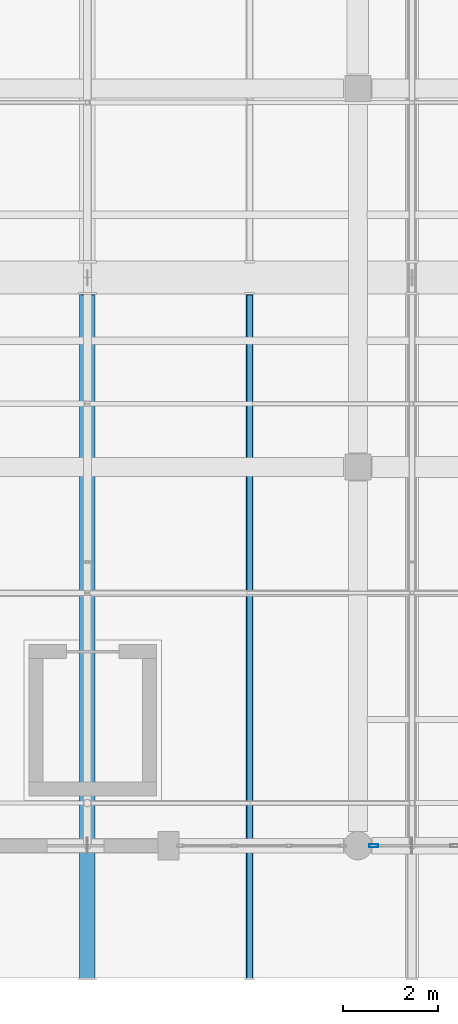
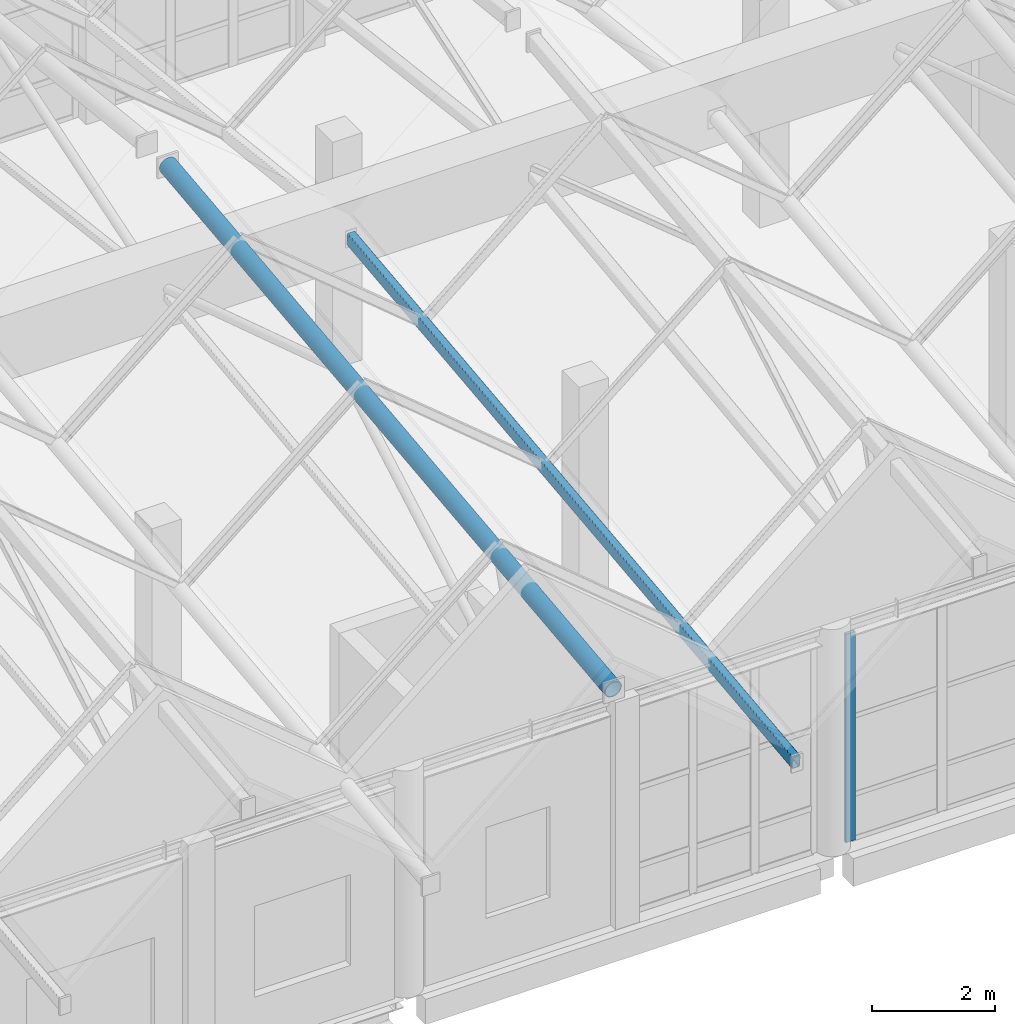
# One storey, part 70 of 183: 2 beams, 1 member, 1 element without a shape of its own.
"""IFC4 building model written with IfcOpenShell, lengths in metres."""

from ifc_helpers import new_model, si_unit, direction, frame, origin, origin_2d, place, context, subcontext, project, spatial, hollow_rectangle, hollow_circle, extrude, material, material_profile, profile_set, type_object, element, aggregate, save


model = new_model("IFC4")

# Units and contexts
model_context = context("Model", 3, precision=1e-05, world=origin(), true_north=direction((0.0, 1.0)))
body_context = subcontext(model_context, "Body", "Model", "MODEL_VIEW")
ifc_project = project(units=[si_unit("LENGTHUNIT", "METRE"), si_unit("AREAUNIT", "SQUARE_METRE"), si_unit("VOLUMEUNIT", "CUBIC_METRE"), si_unit("PLANEANGLEUNIT", "RADIAN"), si_unit("MASSUNIT", "GRAM", prefix="KILO")], contexts=[model_context])

# Site, building, storey
site_placement = place(None, origin())
site = spatial("IfcSite", under=ifc_project, at=site_placement, CompositionType="ELEMENT")
building_placement = place(site_placement, origin())
building = spatial("IfcBuilding", under=site, at=building_placement, Name="Luwemba Playhouse", CompositionType="ELEMENT")
storey_placement = place(building_placement, frame((0.0, 0.0, 4.800048828125)))
storey = spatial("IfcBuildingStorey", under=building, at=storey_placement, Name="L01", CompositionType="ELEMENT", Elevation=4.800048828125)

# Beams
ifc_material_1 = material(Name="Steel S355", Category="steel")
ifc_material_profile_1 = material_profile(ifc_material_1, hollow_rectangle(XDim=0.14990234375, YDim=0.25, WallThickness=0.010009765625, InnerFilletRadius=0.014892578125, OuterFilletRadius=0.02490234375, at=origin_2d()))
ifc_profile_set_1 = profile_set([ifc_material_profile_1], Name="Steel S355")
beam_type_1 = type_object("IfcBeamType", Name="BM-RTG1", PredefinedType="USERDEFINED", material=ifc_profile_set_1)
beam_1_placement = place(storey_placement, frame((137.71435546875, 0.199951171875, 4.166259765625), z_axis=(0.0, 0.993786292845, 0.111305005073), x_axis=(-1.0, 0.0, 0.0)))
element("IfcBeam", 1, at=beam_1_placement, inside=storey, type_object=beam_type_1, Name="ROOF TRUSS valley girder 0320", ObjectType="ROOF TRUSS", PredefinedType="USERDEFINED", context=body_context, shape_type="SweptSolid", body=[
    extrude(hollow_rectangle(XDim=0.14990234375, YDim=0.25, WallThickness=0.010009765625, InnerFilletRadius=0.014892578125, OuterFilletRadius=0.02490234375, at=origin_2d()), origin(), (0.0, 0.0, 1.0), 14.540283203125),
])
ifc_material_profile_2 = material_profile(ifc_material_1, hollow_circle(Radius=0.161865234375, WallThickness=0.01611328125, at=origin_2d()))
ifc_profile_set_2 = profile_set([ifc_material_profile_2], Name="Steel S355")
beam_type_2 = type_object("IfcBeamType", Name="BM-RTG4", PredefinedType="USERDEFINED", material=ifc_profile_set_2)
beam_2_placement = place(storey_placement, frame((134.28564453125, 0.199951171875, 6.80712890625), z_axis=(0.0, 0.993786292845, 0.111305005073), x_axis=(-1.0, 0.0, 0.0)))
element("IfcBeam", 2, at=beam_2_placement, inside=storey, type_object=beam_type_2, Name="ROOF TRUSS ridge girder 0318", ObjectType="ROOF TRUSS", PredefinedType="USERDEFINED", context=body_context, shape_type="SweptSolid", body=[
    extrude(hollow_circle(Radius=0.161865234375, WallThickness=0.01611328125, at=origin_2d()), origin(), (0.0, 0.0, 1.0), 14.540283203125),
])

# Curtain wall, member
ifc_material_2 = material(Name="Solar-control double glazing", Category="glass")
curtain_wall_type = type_object("IfcCurtainWallType", Name="CW-CW119", PredefinedType="USERDEFINED", material=ifc_material_2)
curtain_wall_placement = place(storey_placement, origin())
curtain_wall = element("IfcCurtainWall", 3, at=curtain_wall_placement, inside=storey, type_object=curtain_wall_type, Name="L01 V5E unitised curtain wall 177", ObjectType="UNITISED GLAZING", PredefinedType="USERDEFINED")
ifc_material_3 = material(Name="Aluminium 6063-T6", Category="aluminium")
ifc_material_profile_3 = material_profile(ifc_material_3, hollow_rectangle(XDim=0.070068359375, YDim=0.18994140625, WallThickness=0.0048828125, InnerFilletRadius=0.007568359375, OuterFilletRadius=0.012451171875, at=origin_2d()))
ifc_profile_set_3 = profile_set([ifc_material_profile_3], Name="Aluminium 6063-T6")
member_type = type_object("IfcMemberType", Name="CWM-M4", PredefinedType="MULLION", material=ifc_profile_set_3)
member_placement = place(storey_placement, frame((140.3349609375, 3.0, 0.0), z_axis=(0.0, 0.0, 1.0), x_axis=(0.0, -1.0, 0.0)))
member = element("IfcMember", 4, at=member_placement, type_object=member_type, Name="CW119 mullion 3", PredefinedType="MULLION", context=body_context, shape_type="SweptSolid", body=[
    extrude(hollow_rectangle(XDim=0.070068359375, YDim=0.18994140625, WallThickness=0.0048828125, InnerFilletRadius=0.007568359375, OuterFilletRadius=0.012451171875, at=origin_2d()), origin(), (0.0, 0.0, 1.0), 4.125),
])
aggregate(curtain_wall, [member])

save(model, "model.ifc")
